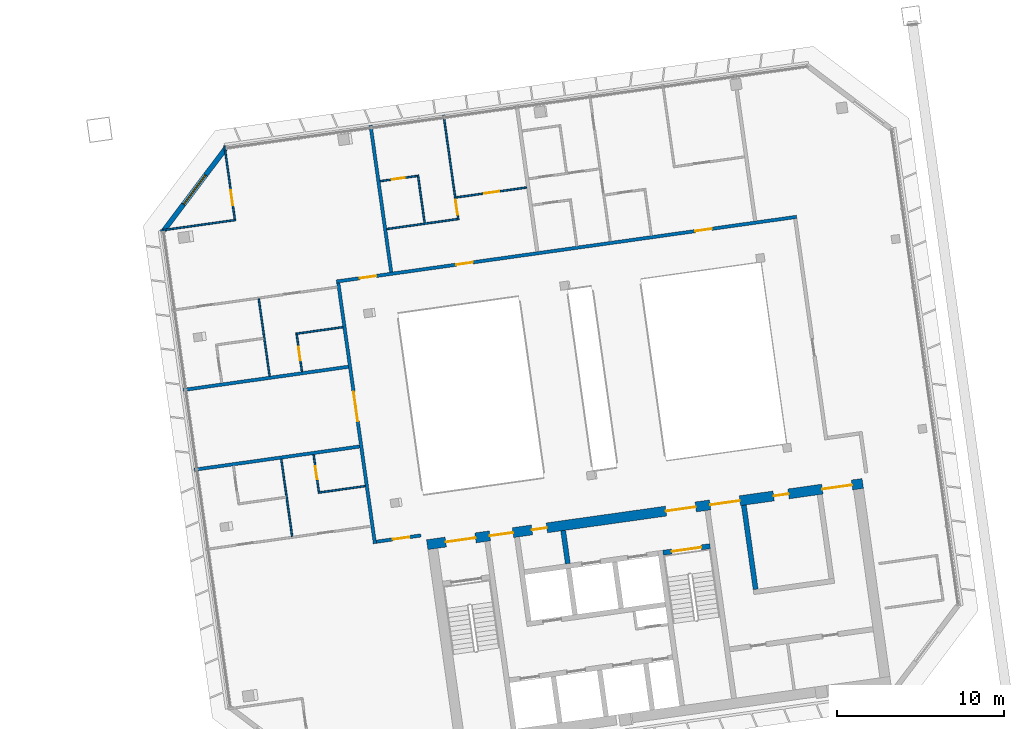
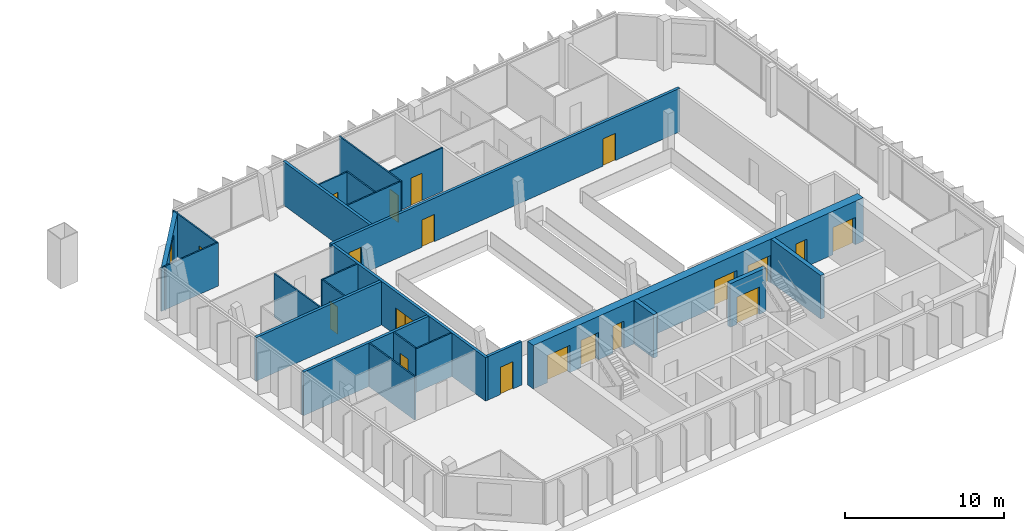
# One storey, part 20 of 26: 24 walls, 19 doors, 1 window, 20 openings.
"""IFC4 building model written with IfcOpenShell, lengths in metres."""

from ifc_helpers import new_model, si_unit, direction, frame, frame_2d, origin, place, context, subcontext, project, spatial, rectangle, extrude, material, layer, layer_set, type_object, element, fill, save


model = new_model("IFC4")

# Units and contexts
model_context = context("Model", 3, precision=1e-05, world=origin(), true_north=direction((0.0, 1.0)))
body_context = subcontext(model_context, "Body", "Model", "MODEL_VIEW")
ifc_project = project(units=[si_unit("LENGTHUNIT", "METRE"), si_unit("AREAUNIT", "SQUARE_METRE"), si_unit("VOLUMEUNIT", "CUBIC_METRE"), si_unit("PLANEANGLEUNIT", "RADIAN"), si_unit("MASSUNIT", "GRAM", prefix="KILO")], contexts=[model_context])

# Site, building, storey
site_placement = place(None, origin())
site = spatial("IfcSite", under=ifc_project, at=site_placement, CompositionType="ELEMENT")
building_placement = place(site_placement, origin())
building = spatial("IfcBuilding", under=site, at=building_placement, Name="Mirante Cascada Hotel Towers", CompositionType="ELEMENT")
storey_placement = place(building_placement, frame((0.0, 0.0, 235.6)))
storey = spatial("IfcBuildingStorey", under=building, at=storey_placement, Name="L56", CompositionType="ELEMENT", Elevation=235.6)

# Wall, opening, door
ifc_material_1 = material(Name="Fire-rated plasterboard on metal studs")
ifc_layer_1 = layer(ifc_material_1, 0.2)
ifc_layer_set_1 = layer_set([ifc_layer_1], Name="Compartment wall 200 EI 120")
wall_type_1 = type_object("IfcWallType", Name="Compartment wall 200 EI 120", PredefinedType="PARTITIONING", material=ifc_layer_set_1)
wall_1_placement = place(storey_placement, frame((35.2634, -7.1173, 0.0), z_axis=(0.0, 0.0, 1.0), x_axis=(-0.9902713, -0.1391498, 0.0)))
wall_1 = element("IfcWall", 1, at=wall_1_placement, inside=storey, type_object=wall_type_1, Name="Wall 2-L56-04", PredefinedType="PARTITIONING", context=body_context, shape_type="SweptSolid", body=[
    extrude(rectangle(XDim=2.7, YDim=0.2, at=frame_2d((1.35, 0.0))), origin(), (0.0, 0.0, 1.0), 3.35),
])
opening_1_placement = place(wall_1_placement, frame((0.7, 0.0, 0.0)))
opening_1 = element("IfcOpeningElement", 2, at=opening_1_placement, cuts=wall_1, Name="Opening D2-L56-01", PredefinedType="OPENING", context=body_context, shape_type="SweptSolid", body=[
    extrude(rectangle(XDim=1.0, YDim=2.1, at=frame_2d((0.5, 1.05))), frame((0.0, 0.1, 0.0), z_axis=(0.0, -1.0, 0.0), x_axis=(1.0, 0.0, 0.0)), (0.0, 0.0, 1.0), 0.2),
])
ifc_material_2 = material(Name="Fire-rated timber door leaf", Category="wood")
door_type_1 = type_object("IfcDoorType", Name="Entrance door DG1 1000x2100 EI 60", OperationType="SINGLE_SWING_LEFT", PredefinedType="DOOR", material=ifc_material_2)
door_1_placement = place(opening_1_placement, origin())
door_1 = element("IfcDoor", 3, at=door_1_placement, inside=storey, type_object=door_type_1, Name="Door D2-L56-01", OperationType="SINGLE_SWING_LEFT", OverallHeight=2.1, OverallWidth=1.0, PredefinedType="DOOR", context=body_context, shape_type="SweptSolid", body=[
    extrude(rectangle(XDim=1.0, YDim=2.1, at=frame_2d((0.5, 1.05))), frame((0.0, 0.025, 0.0), z_axis=(0.0, -1.0, 0.0), x_axis=(1.0, 0.0, 0.0)), (0.0, 0.0, 1.0), 0.05),
])
fill(opening_1, door_1)

# Walls
for number, where, z_axis, x_axis, name in (
    (4, (21.6634, -3.1716, 0.0), (0.0, 0.0, 1.0), (0.9902681, 0.1391726, 0.0), "Wall 2-L56-09"),
    (5, (30.9118, 3.0089, 0.0), (0.0, 0.0, 1.0), (-0.9902681, -0.1391726, 0.0), "Wall 2-L56-10"),
):
    element("IfcWall", number, at=place(storey_placement, frame(where, z_axis=z_axis, x_axis=x_axis)), inside=storey, type_object=wall_type_1, Name=name, PredefinedType="PARTITIONING", context=body_context, shape_type="SweptSolid", body=[
        extrude(rectangle(XDim=10.0185, YDim=0.2, at=frame_2d((5.0092, 0.0))), origin(), (0.0, 0.0, 1.0), 3.35),
    ])

# Wall, openings, doors
wall_2_placement = place(storey_placement, frame((57.8212, 12.0083, 0.0), z_axis=(0.0, 0.0, 1.0), x_axis=(-0.9902682, -0.139172, 0.0)))
wall_2 = element("IfcWall", 6, at=wall_2_placement, inside=storey, type_object=wall_type_1, Name="Wall 2-L56-14", PredefinedType="PARTITIONING", context=body_context, shape_type="SweptSolid", body=[
    extrude(rectangle(XDim=27.9, YDim=0.2, at=frame_2d((13.95, 0.0))), origin(), (0.0, 0.0, 1.0), 3.35),
])
opening_2_placement = place(wall_2_placement, frame((25.482, 0.0, 0.0)))
opening_2 = element("IfcOpeningElement", 7, at=opening_2_placement, cuts=wall_2, Name="Opening D2-L56-06", PredefinedType="OPENING", context=body_context, shape_type="SweptSolid", body=[
    extrude(rectangle(XDim=1.0, YDim=2.1, at=frame_2d((0.5, 1.05))), frame((0.0, 0.1, 0.0), z_axis=(0.0, -1.0, 0.0), x_axis=(1.0, 0.0, 0.0)), (0.0, 0.0, 1.0), 0.2),
])
opening_3_placement = place(wall_2_placement, frame((19.6366, 0.0, 0.0)))
opening_3 = element("IfcOpeningElement", 8, at=opening_3_placement, cuts=wall_2, Name="Opening D2-L56-07", PredefinedType="OPENING", context=body_context, shape_type="SweptSolid", body=[
    extrude(rectangle(XDim=1.0, YDim=2.1, at=frame_2d((0.5, 1.05))), frame((0.0, 0.1, 0.0), z_axis=(0.0, -1.0, 0.0), x_axis=(1.0, 0.0, 0.0)), (0.0, 0.0, 1.0), 0.2),
])
opening_4_placement = place(wall_2_placement, frame((5.1467, 0.0, 0.0)))
opening_4 = element("IfcOpeningElement", 9, at=opening_4_placement, cuts=wall_2, Name="Opening D2-L56-08", PredefinedType="OPENING", context=body_context, shape_type="SweptSolid", body=[
    extrude(rectangle(XDim=1.0, YDim=2.1, at=frame_2d((0.5, 1.05))), frame((0.0, 0.1, 0.0), z_axis=(0.0, -1.0, 0.0), x_axis=(1.0, 0.0, 0.0)), (0.0, 0.0, 1.0), 0.2),
])
door_2_placement = place(opening_2_placement, frame((1.0, 0.0, 0.0), z_axis=(0.0, 0.0, 1.0), x_axis=(-1.0, 0.0, 0.0)))
door_2 = element("IfcDoor", 10, at=door_2_placement, inside=storey, type_object=door_type_1, Name="Door D2-L56-06", OperationType="SINGLE_SWING_RIGHT", OverallHeight=2.1, OverallWidth=1.0, PredefinedType="DOOR", context=body_context, shape_type="SweptSolid", body=[
    extrude(rectangle(XDim=1.0, YDim=2.1, at=frame_2d((0.5, 1.05))), frame((0.0, 0.025, 0.0), z_axis=(0.0, -1.0, 0.0), x_axis=(1.0, 0.0, 0.0)), (0.0, 0.0, 1.0), 0.05),
])
fill(opening_2, door_2)
door_3_placement = place(opening_3_placement, frame((1.0, 0.0, 0.0), z_axis=(0.0, 0.0, 1.0), x_axis=(-1.0, 0.0, 0.0)))
door_3 = element("IfcDoor", 11, at=door_3_placement, inside=storey, type_object=door_type_1, Name="Door D2-L56-07", OperationType="SINGLE_SWING_RIGHT", OverallHeight=2.1, OverallWidth=1.0, PredefinedType="DOOR", context=body_context, shape_type="SweptSolid", body=[
    extrude(rectangle(XDim=1.0, YDim=2.1, at=frame_2d((0.5, 1.05))), frame((0.0, 0.025, 0.0), z_axis=(0.0, -1.0, 0.0), x_axis=(1.0, 0.0, 0.0)), (0.0, 0.0, 1.0), 0.05),
])
fill(opening_3, door_3)
door_4_placement = place(opening_4_placement, frame((1.0, 0.0, 0.0), z_axis=(0.0, 0.0, 1.0), x_axis=(-1.0, 0.0, 0.0)))
door_4 = element("IfcDoor", 12, at=door_4_placement, inside=storey, type_object=door_type_1, Name="Door D2-L56-08", OperationType="SINGLE_SWING_RIGHT", OverallHeight=2.1, OverallWidth=1.0, PredefinedType="DOOR", context=body_context, shape_type="SweptSolid", body=[
    extrude(rectangle(XDim=1.0, YDim=2.1, at=frame_2d((0.5, 1.05))), frame((0.0, 0.025, 0.0), z_axis=(0.0, -1.0, 0.0), x_axis=(1.0, 0.0, 0.0)), (0.0, 0.0, 1.0), 0.05),
])
fill(opening_4, door_4)

# Wall, opening, door
wall_3_placement = place(storey_placement, frame((30.3056, 8.0402, 0.0), z_axis=(0.0, 0.0, 1.0), x_axis=(0.1391774, -0.9902675, 0.0)))
wall_3 = element("IfcWall", 13, at=wall_3_placement, inside=storey, type_object=wall_type_1, Name="Wall 2-L56-32", PredefinedType="PARTITIONING", context=body_context, shape_type="SweptSolid", body=[
    extrude(rectangle(XDim=15.8, YDim=0.2, at=frame_2d((7.9, 0.0))), origin(), (0.0, 0.0, 1.0), 3.35),
])
opening_5_placement = place(wall_3_placement, frame((6.5834, 0.0, 0.0)))
opening_5 = element("IfcOpeningElement", 14, at=opening_5_placement, cuts=wall_3, Name="Opening D2-L56-22", PredefinedType="OPENING", context=body_context, shape_type="SweptSolid", body=[
    extrude(rectangle(XDim=1.8, YDim=2.1, at=frame_2d((0.9, 1.05))), frame((0.0, 0.1, 0.0), z_axis=(0.0, -1.0, 0.0), x_axis=(1.0, 0.0, 0.0)), (0.0, 0.0, 1.0), 0.2),
])
ifc_material_3 = material(Name="Fire-rated timber door leaf", Category="wood")
door_type_2 = type_object("IfcDoorType", Name="Suite double door DG2 1800x2100 EI 60", OperationType="DOUBLE_DOOR_SINGLE_SWING", PredefinedType="DOOR", material=ifc_material_3)
door_5_placement = place(opening_5_placement, origin())
door_5 = element("IfcDoor", 15, at=door_5_placement, inside=storey, type_object=door_type_2, Name="Door D2-L56-22", OperationType="DOUBLE_DOOR_SINGLE_SWING", OverallHeight=2.1, OverallWidth=1.8, PredefinedType="DOOR", context=body_context, shape_type="SweptSolid", body=[
    extrude(rectangle(XDim=0.895, YDim=2.1, at=frame_2d((0.4475, 1.05))), frame((0.0, 0.025, 0.0), z_axis=(0.0, -1.0, 0.0), x_axis=(1.0, 0.0, 0.0)), (0.0, 0.0, 1.0), 0.05),
    extrude(rectangle(XDim=0.895, YDim=2.1, at=frame_2d((1.3525, 1.05))), frame((0.0, 0.025, 0.0), z_axis=(0.0, -1.0, 0.0), x_axis=(1.0, 0.0, 0.0)), (0.0, 0.0, 1.0), 0.05),
])
fill(opening_5, door_5)

# Walls
wall_4_placement = place(storey_placement, frame((33.4824, 8.6887, 0.0), z_axis=(0.0, 0.0, 1.0), x_axis=(-0.1391684, 0.9902687, 0.0)))
element("IfcWall", 16, at=wall_4_placement, inside=storey, type_object=wall_type_1, Name="Wall 2-L56-33", PredefinedType="PARTITIONING", context=body_context, shape_type="SweptSolid", body=[
    extrude(rectangle(XDim=8.9, YDim=0.2, at=frame_2d((4.45, 0.0))), origin(), (0.0, 0.0, 1.0), 3.35),
])
ifc_material_4 = material(Name="Masonry block", Category="masonry")
ifc_layer_2 = layer(ifc_material_4, 0.3)
ifc_layer_set_2 = layer_set([ifc_layer_2], Name="Core wall 300 block EI 120")
wall_type_2 = type_object("IfcWallType", Name="Core wall 300 block EI 120", PredefinedType="PARTITIONING", material=ifc_layer_set_2)
wall_5_placement = place(storey_placement, frame((44.0843, -8.8061, 0.0), z_axis=(0.0, 0.0, 1.0), x_axis=(-0.1391951, 0.990265, 0.0)))
element("IfcWall", 17, at=wall_5_placement, inside=storey, type_object=wall_type_2, Name="Core wall partition T2 L56 1", PredefinedType="PARTITIONING", context=body_context, shape_type="SweptSolid", body=[
    extrude(rectangle(XDim=2.0001, YDim=0.3, at=frame_2d((1.0001, 0.0))), origin(), (0.0, 0.0, 1.0), 3.35),
])
ifc_material_5 = material(Name="Plasterboard on metal studs")
ifc_layer_3 = layer(ifc_material_5, 0.1)
ifc_layer_set_3 = layer_set([ifc_layer_3], Name="Partition 100")
wall_type_3 = type_object("IfcWallType", Name="Partition 100", PredefinedType="PARTITIONING", material=ifc_layer_set_3)
for number, where, z_axis, x_axis, name in (
    (18, (31.9184, -4.154, 0.0), (0.0, 0.0, 1.0), (-0.9902697, -0.1391613, 0.0), "Wall 2-L56-08"),
    (19, (30.5777, 5.3856, 0.0), (0.0, 0.0, 1.0), (-0.9902649, -0.1391957, 0.0), "Wall 2-L56-12"),
):
    element("IfcWall", number, at=place(storey_placement, frame(where, z_axis=z_axis, x_axis=x_axis)), inside=storey, type_object=wall_type_3, Name=name, PredefinedType="PARTITIONING", context=body_context, shape_type="SweptSolid", body=[
        extrude(rectangle(XDim=2.8499, YDim=0.1, at=frame_2d((1.425, 0.0))), origin(), (0.0, 0.0, 1.0), 3.35),
    ])
wall_6_placement = place(storey_placement, frame((33.2196, 11.2773, 0.0), z_axis=(0.0, 0.0, 1.0), x_axis=(0.9902677, 0.1391757, 0.0)))
element("IfcWall", 20, at=wall_6_placement, inside=storey, type_object=wall_type_3, Name="Wall 2-L56-15", PredefinedType="PARTITIONING", context=body_context, shape_type="SweptSolid", body=[
    extrude(rectangle(XDim=4.2773, YDim=0.1, at=frame_2d((2.1386, 0.0))), origin(), (0.0, 0.0, 1.0), 3.35),
])

# Wall, opening, door
wall_7_placement = place(storey_placement, frame((41.609, 13.7691, 0.0), z_axis=(0.0, 0.0, 1.0), x_axis=(-0.9902673, -0.1391789, 0.0)))
wall_7 = element("IfcWall", 21, at=wall_7_placement, inside=storey, type_object=wall_type_3, Name="Wall 2-L56-18", PredefinedType="PARTITIONING", context=body_context, shape_type="SweptSolid", body=[
    extrude(rectangle(XDim=4.2772, YDim=0.1, at=frame_2d((2.1386, 0.0))), origin(), (0.0, 0.0, 1.0), 3.35),
])
opening_6_placement = place(wall_7_placement, frame((1.6636, 0.0, 0.0)))
opening_6 = element("IfcOpeningElement", 22, at=opening_6_placement, cuts=wall_7, Name="Opening D2-L56-11", PredefinedType="OPENING", context=body_context, shape_type="SweptSolid", body=[
    extrude(rectangle(XDim=0.9, YDim=2.1, at=frame_2d((0.45, 1.05))), frame((0.0, 0.05, 0.0), z_axis=(0.0, -1.0, 0.0), x_axis=(1.0, 0.0, 0.0)), (0.0, 0.0, 1.0), 0.1),
])
ifc_material_6 = material(Name="Timber door leaf", Category="wood")
door_type_3 = type_object("IfcDoorType", Name="Room door DG3 900x2100", OperationType="SINGLE_SWING_LEFT", PredefinedType="DOOR", material=ifc_material_6)
door_6_placement = place(opening_6_placement, origin())
door_6 = element("IfcDoor", 23, at=door_6_placement, inside=storey, type_object=door_type_3, Name="Door D2-L56-11", OperationType="SINGLE_SWING_LEFT", OverallHeight=2.1, OverallWidth=0.9, PredefinedType="DOOR", context=body_context, shape_type="SweptSolid", body=[
    extrude(rectangle(XDim=0.9, YDim=2.1, at=frame_2d((0.45, 1.05))), frame((0.0, 0.025, 0.0), z_axis=(0.0, -1.0, 0.0), x_axis=(1.0, 0.0, 0.0)), (0.0, 0.0, 1.0), 0.05),
])
fill(opening_6, door_6)

# Wall
wall_8_placement = place(storey_placement, frame((24.1511, 11.8205, 0.0), z_axis=(0.0, 0.0, 1.0), x_axis=(-0.9902691, -0.1391656, 0.0)))
element("IfcWall", 24, at=wall_8_placement, inside=storey, type_object=wall_type_3, Name="Wall 2-L56-20", PredefinedType="PARTITIONING", context=body_context, shape_type="SweptSolid", body=[
    extrude(rectangle(XDim=4.55, YDim=0.1, at=frame_2d((2.275, 0.0))), origin(), (0.0, 0.0, 1.0), 3.35),
])

# Wall, opening, door
wall_9_placement = place(storey_placement, frame((35.0441, 14.4622, 0.0), z_axis=(0.0, 0.0, 1.0), x_axis=(-0.9902705, -0.1391561, 0.0)))
wall_9 = element("IfcWall", 25, at=wall_9_placement, inside=storey, type_object=wall_type_3, Name="Wall 2-L56-22", PredefinedType="PARTITIONING", context=body_context, shape_type="SweptSolid", body=[
    extrude(rectangle(XDim=2.25, YDim=0.1, at=frame_2d((1.125, 0.0))), origin(), (0.0, 0.0, 1.0), 3.35),
])
opening_7_placement = place(wall_9_placement, frame((0.75, 0.0, 0.0)))
opening_7 = element("IfcOpeningElement", 26, at=opening_7_placement, cuts=wall_9, Name="Opening D2-L56-15", PredefinedType="OPENING", context=body_context, shape_type="SweptSolid", body=[
    extrude(rectangle(XDim=0.8, YDim=2.1, at=frame_2d((0.4, 1.05))), frame((0.0, 0.05, 0.0), z_axis=(0.0, -1.0, 0.0), x_axis=(1.0, 0.0, 0.0)), (0.0, 0.0, 1.0), 0.1),
])
ifc_material_7 = material(Name="Timber door leaf", Category="wood")
door_type_4 = type_object("IfcDoorType", Name="Bathroom door DG4 800x2100", OperationType="SINGLE_SWING_LEFT", PredefinedType="DOOR", material=ifc_material_7)
door_7_placement = place(opening_7_placement, frame((0.8, 0.0, 0.0), z_axis=(0.0, 0.0, 1.0), x_axis=(-1.0, 0.0, 0.0)))
door_7 = element("IfcDoor", 27, at=door_7_placement, inside=storey, type_object=door_type_4, Name="Door D2-L56-15", OperationType="SINGLE_SWING_RIGHT", OverallHeight=2.1, OverallWidth=0.8, PredefinedType="DOOR", context=body_context, shape_type="SweptSolid", body=[
    extrude(rectangle(XDim=0.8, YDim=2.1, at=frame_2d((0.4, 1.05))), frame((0.0, 0.025, 0.0), z_axis=(0.0, -1.0, 0.0), x_axis=(1.0, 0.0, 0.0)), (0.0, 0.0, 1.0), 0.05),
])
fill(opening_7, door_7)

wall_10_placement = place(storey_placement, frame((24.0947, 11.8631, 0.0), z_axis=(0.0, 0.0, 1.0), x_axis=(-0.1391935, 0.9902652, 0.0)))
wall_10 = element("IfcWall", 28, at=wall_10_placement, inside=storey, type_object=wall_type_3, Name="Wall 2-L56-27", PredefinedType="PARTITIONING", context=body_context, shape_type="SweptSolid", body=[
    extrude(rectangle(XDim=4.4499, YDim=0.1, at=frame_2d((2.225, 0.0))), origin(), (0.0, 0.0, 1.0), 3.35),
])
opening_8_placement = place(wall_10_placement, frame((0.8583, 0.0, 0.0)))
opening_8 = element("IfcOpeningElement", 29, at=opening_8_placement, cuts=wall_10, Name="Opening D2-L56-19", PredefinedType="OPENING", context=body_context, shape_type="SweptSolid", body=[
    extrude(rectangle(XDim=0.9, YDim=2.1, at=frame_2d((0.45, 1.05))), frame((0.0, 0.05, 0.0), z_axis=(0.0, -1.0, 0.0), x_axis=(1.0, 0.0, 0.0)), (0.0, 0.0, 1.0), 0.1),
])
door_8_placement = place(opening_8_placement, frame((0.9, 0.0, 0.0), z_axis=(0.0, 0.0, 1.0), x_axis=(-1.0, 0.0, 0.0)))
door_8 = element("IfcDoor", 30, at=door_8_placement, inside=storey, type_object=door_type_3, Name="Door D2-L56-19", OperationType="SINGLE_SWING_RIGHT", OverallHeight=2.1, OverallWidth=0.9, PredefinedType="DOOR", context=body_context, shape_type="SweptSolid", body=[
    extrude(rectangle(XDim=0.9, YDim=2.1, at=frame_2d((0.45, 1.05))), frame((0.0, 0.025, 0.0), z_axis=(0.0, -1.0, 0.0), x_axis=(1.0, 0.0, 0.0)), (0.0, 0.0, 1.0), 0.05),
])
fill(opening_8, door_8)

# Walls
wall_11_placement = place(storey_placement, frame((26.8854, -2.5387, 0.0), z_axis=(0.0, 0.0, 1.0), x_axis=(0.139176, -0.9902677, 0.0)))
element("IfcWall", 31, at=wall_11_placement, inside=storey, type_object=wall_type_3, Name="Wall 2-L56-28", PredefinedType="PARTITIONING", context=body_context, shape_type="SweptSolid", body=[
    extrude(rectangle(XDim=4.6833, YDim=0.1, at=frame_2d((2.3416, 0.0))), origin(), (0.0, 0.0, 1.0), 3.35),
])
wall_12_placement = place(storey_placement, frame((26.1849, 2.4456, 0.0), z_axis=(0.0, 0.0, 1.0), x_axis=(-0.139173, 0.9902681, 0.0)))
element("IfcWall", 32, at=wall_12_placement, inside=storey, type_object=wall_type_3, Name="Wall 2-L56-29", PredefinedType="PARTITIONING", context=body_context, shape_type="SweptSolid", body=[
    extrude(rectangle(XDim=4.6834, YDim=0.1, at=frame_2d((2.3417, 0.0))), origin(), (0.0, 0.0, 1.0), 3.35),
])

# Wall, opening, door
wall_13_placement = place(storey_placement, frame((28.8256, -2.266, 0.0), z_axis=(0.0, 0.0, 1.0), x_axis=(0.1391561, -0.9902705, 0.0)))
wall_13 = element("IfcWall", 33, at=wall_13_placement, inside=storey, type_object=wall_type_3, Name="Wall 2-L56-30", PredefinedType="PARTITIONING", context=body_context, shape_type="SweptSolid", body=[
    extrude(rectangle(XDim=2.25, YDim=0.1, at=frame_2d((1.125, 0.0))), origin(), (0.0, 0.0, 1.0), 3.35),
])
opening_9_placement = place(wall_13_placement, frame((0.7, 0.0, 0.0)))
opening_9 = element("IfcOpeningElement", 34, at=opening_9_placement, cuts=wall_13, Name="Opening D2-L56-20", PredefinedType="OPENING", context=body_context, shape_type="SweptSolid", body=[
    extrude(rectangle(XDim=0.8, YDim=2.1, at=frame_2d((0.4, 1.05))), frame((0.0, 0.05, 0.0), z_axis=(0.0, -1.0, 0.0), x_axis=(1.0, 0.0, 0.0)), (0.0, 0.0, 1.0), 0.1),
])
door_9_placement = place(opening_9_placement, origin())
door_9 = element("IfcDoor", 35, at=door_9_placement, inside=storey, type_object=door_type_4, Name="Door D2-L56-20", OperationType="SINGLE_SWING_LEFT", OverallHeight=2.1, OverallWidth=0.8, PredefinedType="DOOR", context=body_context, shape_type="SweptSolid", body=[
    extrude(rectangle(XDim=0.8, YDim=2.1, at=frame_2d((0.4, 1.05))), frame((0.0, 0.025, 0.0), z_axis=(0.0, -1.0, 0.0), x_axis=(1.0, 0.0, 0.0)), (0.0, 0.0, 1.0), 0.05),
])
fill(opening_9, door_9)

wall_14_placement = place(storey_placement, frame((28.1251, 2.7183, 0.0), z_axis=(0.0, 0.0, 1.0), x_axis=(-0.1391561, 0.9902705, 0.0)))
wall_14 = element("IfcWall", 36, at=wall_14_placement, inside=storey, type_object=wall_type_3, Name="Wall 2-L56-31", PredefinedType="PARTITIONING", context=body_context, shape_type="SweptSolid", body=[
    extrude(rectangle(XDim=2.25, YDim=0.1, at=frame_2d((1.125, 0.0))), origin(), (0.0, 0.0, 1.0), 3.35),
])
opening_10_placement = place(wall_14_placement, frame((0.7, 0.0, 0.0)))
opening_10 = element("IfcOpeningElement", 37, at=opening_10_placement, cuts=wall_14, Name="Opening D2-L56-21", PredefinedType="OPENING", context=body_context, shape_type="SweptSolid", body=[
    extrude(rectangle(XDim=0.8, YDim=2.1, at=frame_2d((0.4, 1.05))), frame((0.0, 0.05, 0.0), z_axis=(0.0, -1.0, 0.0), x_axis=(1.0, 0.0, 0.0)), (0.0, 0.0, 1.0), 0.1),
])
door_10_placement = place(opening_10_placement, frame((0.8, 0.0, 0.0), z_axis=(0.0, 0.0, 1.0), x_axis=(-1.0, 0.0, 0.0)))
door_10 = element("IfcDoor", 38, at=door_10_placement, inside=storey, type_object=door_type_4, Name="Door D2-L56-21", OperationType="SINGLE_SWING_RIGHT", OverallHeight=2.1, OverallWidth=0.8, PredefinedType="DOOR", context=body_context, shape_type="SweptSolid", body=[
    extrude(rectangle(XDim=0.8, YDim=2.1, at=frame_2d((0.4, 1.05))), frame((0.0, 0.025, 0.0), z_axis=(0.0, -1.0, 0.0), x_axis=(1.0, 0.0, 0.0)), (0.0, 0.0, 1.0), 0.05),
])
fill(opening_10, door_10)

# Wall
wall_15_placement = place(storey_placement, frame((35.0866, 14.5187, 0.0), z_axis=(0.0, 0.0, 1.0), x_axis=(0.1391714, -0.9902683, 0.0)))
element("IfcWall", 39, at=wall_15_placement, inside=storey, type_object=wall_type_3, Name="Wall 2-L56-34", PredefinedType="PARTITIONING", context=body_context, shape_type="SweptSolid", body=[
    extrude(rectangle(XDim=2.9, YDim=0.1, at=frame_2d((1.45, 0.0))), origin(), (0.0, 0.0, 1.0), 3.35),
])

# Wall, opening, door
wall_16_placement = place(storey_placement, frame((37.5117, 11.83, 0.0), z_axis=(0.0, 0.0, 1.0), x_axis=(-0.1391656, 0.9902691, 0.0)))
wall_16 = element("IfcWall", 40, at=wall_16_placement, inside=storey, type_object=wall_type_3, Name="Wall 2-L56-35", PredefinedType="PARTITIONING", context=body_context, shape_type="SweptSolid", body=[
    extrude(rectangle(XDim=6.35, YDim=0.1, at=frame_2d((3.175, 0.0))), origin(), (0.0, 0.0, 1.0), 3.35),
])
opening_11_placement = place(wall_16_placement, frame((0.3, 0.0, 0.0)))
opening_11 = element("IfcOpeningElement", 41, at=opening_11_placement, cuts=wall_16, Name="Opening D2-L56-23", PredefinedType="OPENING", context=body_context, shape_type="SweptSolid", body=[
    extrude(rectangle(XDim=0.9, YDim=2.1, at=frame_2d((0.45, 1.05))), frame((0.0, 0.05, 0.0), z_axis=(0.0, -1.0, 0.0), x_axis=(1.0, 0.0, 0.0)), (0.0, 0.0, 1.0), 0.1),
])
door_11_placement = place(opening_11_placement, origin())
door_11 = element("IfcDoor", 42, at=door_11_placement, inside=storey, type_object=door_type_3, Name="Door D2-L56-23", OperationType="SINGLE_SWING_LEFT", OverallHeight=2.1, OverallWidth=0.9, PredefinedType="DOOR", context=body_context, shape_type="SweptSolid", body=[
    extrude(rectangle(XDim=0.9, YDim=2.1, at=frame_2d((0.45, 1.05))), frame((0.0, 0.025, 0.0), z_axis=(0.0, -1.0, 0.0), x_axis=(1.0, 0.0, 0.0)), (0.0, 0.0, 1.0), 0.05),
])
fill(opening_11, door_11)

# Wall, opening, window
ifc_material_8 = material(Name="Precast concrete C40/50", Category="concrete")
ifc_layer_4 = layer(ifc_material_8, 0.3)
ifc_layer_set_4 = layer_set([ifc_layer_4], Name="Precast concrete C40/50 cladding wall 300")
wall_type_4 = type_object("IfcWallType", Name="Precast concrete C40/50 cladding wall 300", PredefinedType="STANDARD", material=ifc_layer_set_4)
wall_17_placement = place(storey_placement, frame((23.5204, 16.0803, 0.0), z_axis=(0.0, 0.0, 1.0), x_axis=(-0.6018141, -0.7986362, 0.0)))
wall_17 = element("IfcWall", 43, at=wall_17_placement, inside=storey, type_object=wall_type_4, Name="Corner cladding wall T2 L56 front inner", PredefinedType="STANDARD", context=body_context, shape_type="SweptSolid", body=[
    extrude(rectangle(XDim=6.1157, YDim=0.3, at=frame_2d((3.0578, 0.0))), origin(), (0.0, 0.0, 1.0), 3.35),
])
opening_12_placement = place(wall_17_placement, frame((1.9578, 0.0, 0.6)))
opening_12 = element("IfcOpeningElement", 44, at=opening_12_placement, cuts=wall_17, Name="Opening W2-56-05", PredefinedType="OPENING", context=body_context, shape_type="SweptSolid", body=[
    extrude(rectangle(XDim=2.2, YDim=2.4, at=frame_2d((1.1, 1.2))), frame((0.0, 0.15, 0.0), z_axis=(0.0, -1.0, 0.0), x_axis=(1.0, 0.0, 0.0)), (0.0, 0.0, 1.0), 0.3),
])
ifc_material_9 = material(Name="Aluminium frame with clear double glazing", Category="aluminium")
window_type = type_object("IfcWindowType", Name="Corner suite window 2200x2400", PartitioningType="DOUBLE_PANEL_VERTICAL", PredefinedType="WINDOW", material=ifc_material_9)
window_placement = place(opening_12_placement, origin())
window = element("IfcWindow", 45, at=window_placement, inside=storey, type_object=window_type, Name="Window W2-56-05", OverallHeight=2.4, OverallWidth=2.2, PartitioningType="SINGLE_PANEL", PredefinedType="WINDOW", context=body_context, shape_type="SweptSolid", body=[
    extrude(rectangle(XDim=2.2, YDim=2.4, at=frame_2d((1.1, 1.2))), frame((0.0, 0.03, 0.0), z_axis=(0.0, -1.0, 0.0), x_axis=(1.0, 0.0, 0.0)), (0.0, 0.0, 1.0), 0.06),
])
fill(opening_12, window)

# Wall, opening, door
ifc_material_10 = material(Name="Concrete C50/60", Category="concrete")
ifc_layer_5 = layer(ifc_material_10, 0.3)
ifc_layer_set_5 = layer_set([ifc_layer_5], Name="RC core wall 300 C50/60")
wall_type_5 = type_object("IfcWallType", Name="RC core wall 300 C50/60", PredefinedType="SHEAR", material=ifc_layer_set_5)
wall_18_placement = place(storey_placement, frame((49.7992, -8.1544, 0.0), z_axis=(0.0, 0.0, 1.0), x_axis=(0.9902656, 0.1391909, 0.0)))
wall_18 = element("IfcWall", 46, at=wall_18_placement, inside=storey, type_object=wall_type_5, Name="Core wall T2:L56:9", PredefinedType="SHEAR", context=body_context, shape_type="SweptSolid", body=[
    extrude(rectangle(XDim=2.85, YDim=0.3, at=frame_2d((1.425, 0.0))), origin(), (0.0, 0.0, 1.0), 3.35),
])
opening_13_placement = place(wall_18_placement, frame((0.525, 0.0, 0.0)))
opening_13 = element("IfcOpeningElement", 47, at=opening_13_placement, cuts=wall_18, Name="Opening D2-56-C09", PredefinedType="OPENING", context=body_context, shape_type="SweptSolid", body=[
    extrude(rectangle(XDim=1.8, YDim=2.1, at=frame_2d((0.9, 1.05))), frame((0.0, 0.15, 0.0), z_axis=(0.0, -1.0, 0.0), x_axis=(1.0, 0.0, 0.0)), (0.0, 0.0, 1.0), 0.3),
])
ifc_material_11 = material(Name="Hollow metal fire door leaf")
door_type_5 = type_object("IfcDoorType", Name="Double fire door 1800x2100 FD60", OperationType="DOUBLE_DOOR_SINGLE_SWING", PredefinedType="DOOR", material=ifc_material_11)
door_12_placement = place(opening_13_placement, frame((1.8, 0.0, 0.0), z_axis=(0.0, 0.0, 1.0), x_axis=(-1.0, 0.0, 0.0)))
door_12 = element("IfcDoor", 48, at=door_12_placement, inside=storey, type_object=door_type_5, Name="Stair door T2 L56 9", OperationType="DOUBLE_DOOR_SINGLE_SWING", OverallHeight=2.1, OverallWidth=1.8, PredefinedType="DOOR", context=body_context, shape_type="SweptSolid", body=[
    extrude(rectangle(XDim=0.895, YDim=2.1, at=frame_2d((0.4475, 1.05))), frame((0.0, 0.025, 0.0), z_axis=(0.0, -1.0, 0.0), x_axis=(1.0, 0.0, 0.0)), (0.0, 0.0, 1.0), 0.05),
    extrude(rectangle(XDim=0.895, YDim=2.1, at=frame_2d((1.3525, 1.05))), frame((0.0, 0.025, 0.0), z_axis=(0.0, -1.0, 0.0), x_axis=(1.0, 0.0, 0.0)), (0.0, 0.0, 1.0), 0.05),
])
fill(opening_13, door_12)

# Wall
wall_19_placement = place(storey_placement, frame((55.3592, -10.352, 0.0), z_axis=(0.0, 0.0, 1.0), x_axis=(-0.1391755, 0.9902677, 0.0)))
element("IfcWall", 49, at=wall_19_placement, inside=storey, type_object=wall_type_5, Name="Core wall T2:L56:25", PredefinedType="SHEAR", context=body_context, shape_type="SweptSolid", body=[
    extrude(rectangle(XDim=5.1, YDim=0.3, at=frame_2d((2.55, 0.0))), origin(), (0.0, 0.0, 1.0), 3.35),
])

# Wall, openings, doors
ifc_material_12 = material(Name="Concrete C50/60", Category="concrete")
ifc_layer_6 = layer(ifc_material_12, 0.6)
ifc_layer_set_6 = layer_set([ifc_layer_6], Name="RC core wall 600 C50/60")
wall_type_6 = type_object("IfcWallType", Name="RC core wall 600 C50/60", PredefinedType="SHEAR", material=ifc_layer_set_6)
wall_20_placement = place(storey_placement, frame((35.644, -7.6697, 0.0), z_axis=(0.0, 0.0, 1.0), x_axis=(0.9902679, 0.1391741, 0.0)))
wall_20 = element("IfcWall", 50, at=wall_20_placement, inside=storey, type_object=wall_type_6, Name="Core wall T2:L56:2", PredefinedType="SHEAR", context=body_context, shape_type="SweptSolid", body=[
    extrude(rectangle(XDim=26.4, YDim=0.6, at=frame_2d((13.2, 0.0))), origin(), (0.0, 0.0, 1.0), 3.35),
])
opening_14_placement = place(wall_20_placement, frame((1.125, 0.0, 0.0)))
opening_14 = element("IfcOpeningElement", 51, at=opening_14_placement, cuts=wall_20, Name="Opening D2-56-C08", PredefinedType="OPENING", context=body_context, shape_type="SweptSolid", body=[
    extrude(rectangle(XDim=1.8, YDim=2.1, at=frame_2d((0.9, 1.05))), frame((0.0, 0.3, 0.0), z_axis=(0.0, -1.0, 0.0), x_axis=(1.0, 0.0, 0.0)), (0.0, 0.0, 1.0), 0.6),
])
opening_15_placement = place(wall_20_placement, frame((14.475, 0.0, 0.0)))
opening_15 = element("IfcOpeningElement", 52, at=opening_15_placement, cuts=wall_20, Name="Opening D2-56-C10", PredefinedType="OPENING", context=body_context, shape_type="SweptSolid", body=[
    extrude(rectangle(XDim=1.8, YDim=2.1, at=frame_2d((0.9, 1.05))), frame((0.0, 0.3, 0.0), z_axis=(0.0, -1.0, 0.0), x_axis=(1.0, 0.0, 0.0)), (0.0, 0.0, 1.0), 0.6),
])
opening_16_placement = place(wall_20_placement, frame((3.8, 0.0, 0.0)))
opening_16 = element("IfcOpeningElement", 53, at=opening_16_placement, cuts=wall_20, Name="Opening D2-56-C11", PredefinedType="OPENING", context=body_context, shape_type="SweptSolid", body=[
    extrude(rectangle(XDim=1.4, YDim=2.1, at=frame_2d((0.7, 1.05))), frame((0.0, 0.3, 0.0), z_axis=(0.0, -1.0, 0.0), x_axis=(1.0, 0.0, 0.0)), (0.0, 0.0, 1.0), 0.6),
])
opening_17_placement = place(wall_20_placement, frame((17.15, 0.0, 0.0)))
opening_17 = element("IfcOpeningElement", 54, at=opening_17_placement, cuts=wall_20, Name="Opening D2-56-C12", PredefinedType="OPENING", context=body_context, shape_type="SweptSolid", body=[
    extrude(rectangle(XDim=1.8, YDim=2.1, at=frame_2d((0.9, 1.05))), frame((0.0, 0.3, 0.0), z_axis=(0.0, -1.0, 0.0), x_axis=(1.0, 0.0, 0.0)), (0.0, 0.0, 1.0), 0.6),
])
opening_18_placement = place(wall_20_placement, frame((23.95, 0.0, 0.0)))
opening_18 = element("IfcOpeningElement", 55, at=opening_18_placement, cuts=wall_20, Name="Opening D2-56-C13", PredefinedType="OPENING", context=body_context, shape_type="SweptSolid", body=[
    extrude(rectangle(XDim=1.8, YDim=2.1, at=frame_2d((0.9, 1.05))), frame((0.0, 0.3, 0.0), z_axis=(0.0, -1.0, 0.0), x_axis=(1.0, 0.0, 0.0)), (0.0, 0.0, 1.0), 0.6),
])
opening_19_placement = place(wall_20_placement, frame((6.35, 0.0, 0.0)))
opening_19 = element("IfcOpeningElement", 56, at=opening_19_placement, cuts=wall_20, Name="Opening D2-56-C16", PredefinedType="OPENING", context=body_context, shape_type="SweptSolid", body=[
    extrude(rectangle(XDim=0.9, YDim=2.1, at=frame_2d((0.45, 1.05))), frame((0.0, 0.3, 0.0), z_axis=(0.0, -1.0, 0.0), x_axis=(1.0, 0.0, 0.0)), (0.0, 0.0, 1.0), 0.6),
])
opening_20_placement = place(wall_20_placement, frame((21.0, 0.0, 0.0)))
opening_20 = element("IfcOpeningElement", 57, at=opening_20_placement, cuts=wall_20, Name="Opening D2-56-C19", PredefinedType="OPENING", context=body_context, shape_type="SweptSolid", body=[
    extrude(rectangle(XDim=0.9, YDim=2.1, at=frame_2d((0.45, 1.05))), frame((0.0, 0.3, 0.0), z_axis=(0.0, -1.0, 0.0), x_axis=(1.0, 0.0, 0.0)), (0.0, 0.0, 1.0), 0.6),
])
ifc_material_13 = material(Name="Hollow metal fire door leaf")
door_type_6 = type_object("IfcDoorType", Name="Double fire door 1400x2100 FD60", OperationType="DOUBLE_DOOR_SINGLE_SWING", PredefinedType="DOOR", material=ifc_material_13)
door_13_placement = place(opening_16_placement, origin())
door_13 = element("IfcDoor", 58, at=door_13_placement, inside=storey, type_object=door_type_6, Name="Exit door to gallery T2 L56 11", OperationType="DOUBLE_DOOR_SINGLE_SWING", OverallHeight=2.1, OverallWidth=1.4, PredefinedType="DOOR", context=body_context, shape_type="SweptSolid", body=[
    extrude(rectangle(XDim=0.695, YDim=2.1, at=frame_2d((0.3475, 1.05))), frame((0.0, 0.025, 0.0), z_axis=(0.0, -1.0, 0.0), x_axis=(1.0, 0.0, 0.0)), (0.0, 0.0, 1.0), 0.05),
    extrude(rectangle(XDim=0.695, YDim=2.1, at=frame_2d((1.0525, 1.05))), frame((0.0, 0.025, 0.0), z_axis=(0.0, -1.0, 0.0), x_axis=(1.0, 0.0, 0.0)), (0.0, 0.0, 1.0), 0.05),
])
fill(opening_16, door_13)
door_14_placement = place(opening_14_placement, frame((1.8, 0.0, 0.0), z_axis=(0.0, 0.0, 1.0), x_axis=(-1.0, 0.0, 0.0)))
door_14 = element("IfcDoor", 59, at=door_14_placement, inside=storey, type_object=door_type_5, Name="Exit door to gallery T2 L56 8", OperationType="DOUBLE_DOOR_SINGLE_SWING", OverallHeight=2.1, OverallWidth=1.8, PredefinedType="DOOR", context=body_context, shape_type="SweptSolid", body=[
    extrude(rectangle(XDim=0.895, YDim=2.1, at=frame_2d((0.4475, 1.05))), frame((0.0, 0.025, 0.0), z_axis=(0.0, -1.0, 0.0), x_axis=(1.0, 0.0, 0.0)), (0.0, 0.0, 1.0), 0.05),
    extrude(rectangle(XDim=0.895, YDim=2.1, at=frame_2d((1.3525, 1.05))), frame((0.0, 0.025, 0.0), z_axis=(0.0, -1.0, 0.0), x_axis=(1.0, 0.0, 0.0)), (0.0, 0.0, 1.0), 0.05),
])
fill(opening_14, door_14)
door_15_placement = place(opening_15_placement, frame((1.8, 0.0, 0.0), z_axis=(0.0, 0.0, 1.0), x_axis=(-1.0, 0.0, 0.0)))
door_15 = element("IfcDoor", 60, at=door_15_placement, inside=storey, type_object=door_type_5, Name="Exit door to gallery T2 L56 10", OperationType="DOUBLE_DOOR_SINGLE_SWING", OverallHeight=2.1, OverallWidth=1.8, PredefinedType="DOOR", context=body_context, shape_type="SweptSolid", body=[
    extrude(rectangle(XDim=0.895, YDim=2.1, at=frame_2d((0.4475, 1.05))), frame((0.0, 0.025, 0.0), z_axis=(0.0, -1.0, 0.0), x_axis=(1.0, 0.0, 0.0)), (0.0, 0.0, 1.0), 0.05),
    extrude(rectangle(XDim=0.895, YDim=2.1, at=frame_2d((1.3525, 1.05))), frame((0.0, 0.025, 0.0), z_axis=(0.0, -1.0, 0.0), x_axis=(1.0, 0.0, 0.0)), (0.0, 0.0, 1.0), 0.05),
])
fill(opening_15, door_15)
door_16_placement = place(opening_17_placement, origin())
door_16 = element("IfcDoor", 61, at=door_16_placement, inside=storey, type_object=door_type_5, Name="Exit door to gallery T2 L56 12", OperationType="DOUBLE_DOOR_SINGLE_SWING", OverallHeight=2.1, OverallWidth=1.8, PredefinedType="DOOR", context=body_context, shape_type="SweptSolid", body=[
    extrude(rectangle(XDim=0.895, YDim=2.1, at=frame_2d((0.4475, 1.05))), frame((0.0, 0.025, 0.0), z_axis=(0.0, -1.0, 0.0), x_axis=(1.0, 0.0, 0.0)), (0.0, 0.0, 1.0), 0.05),
    extrude(rectangle(XDim=0.895, YDim=2.1, at=frame_2d((1.3525, 1.05))), frame((0.0, 0.025, 0.0), z_axis=(0.0, -1.0, 0.0), x_axis=(1.0, 0.0, 0.0)), (0.0, 0.0, 1.0), 0.05),
])
fill(opening_17, door_16)
door_17_placement = place(opening_18_placement, origin())
door_17 = element("IfcDoor", 62, at=door_17_placement, inside=storey, type_object=door_type_5, Name="Exit door to gallery T2 L56 13", OperationType="DOUBLE_DOOR_SINGLE_SWING", OverallHeight=2.1, OverallWidth=1.8, PredefinedType="DOOR", context=body_context, shape_type="SweptSolid", body=[
    extrude(rectangle(XDim=0.895, YDim=2.1, at=frame_2d((0.4475, 1.05))), frame((0.0, 0.025, 0.0), z_axis=(0.0, -1.0, 0.0), x_axis=(1.0, 0.0, 0.0)), (0.0, 0.0, 1.0), 0.05),
    extrude(rectangle(XDim=0.895, YDim=2.1, at=frame_2d((1.3525, 1.05))), frame((0.0, 0.025, 0.0), z_axis=(0.0, -1.0, 0.0), x_axis=(1.0, 0.0, 0.0)), (0.0, 0.0, 1.0), 0.05),
])
fill(opening_18, door_17)
ifc_material_14 = material(Name="Hollow metal fire door leaf")
door_type_7 = type_object("IfcDoorType", Name="Fire door 900x2100 FD60", OperationType="NOTDEFINED", PredefinedType="DOOR", material=ifc_material_14)
door_18_placement = place(opening_19_placement, frame((0.9, 0.0, 0.0), z_axis=(0.0, 0.0, 1.0), x_axis=(-1.0, 0.0, 0.0)))
door_18 = element("IfcDoor", 63, at=door_18_placement, inside=storey, type_object=door_type_7, Name="Room door T2 L56 16", OperationType="SINGLE_SWING_LEFT", OverallHeight=2.1, OverallWidth=0.9, PredefinedType="DOOR", context=body_context, shape_type="SweptSolid", body=[
    extrude(rectangle(XDim=0.9, YDim=2.1, at=frame_2d((0.45, 1.05))), frame((0.0, 0.025, 0.0), z_axis=(0.0, -1.0, 0.0), x_axis=(1.0, 0.0, 0.0)), (0.0, 0.0, 1.0), 0.05),
])
fill(opening_19, door_18)
door_19_placement = place(opening_20_placement, frame((0.9, 0.0, 0.0), z_axis=(0.0, 0.0, 1.0), x_axis=(-1.0, 0.0, 0.0)))
door_19 = element("IfcDoor", 64, at=door_19_placement, inside=storey, type_object=door_type_7, Name="Room door T2 L56 19", OperationType="SINGLE_SWING_RIGHT", OverallHeight=2.1, OverallWidth=0.9, PredefinedType="DOOR", context=body_context, shape_type="SweptSolid", body=[
    extrude(rectangle(XDim=0.9, YDim=2.1, at=frame_2d((0.45, 1.05))), frame((0.0, 0.025, 0.0), z_axis=(0.0, -1.0, 0.0), x_axis=(1.0, 0.0, 0.0)), (0.0, 0.0, 1.0), 0.05),
])
fill(opening_20, door_19)

save(model, "model.ifc")
